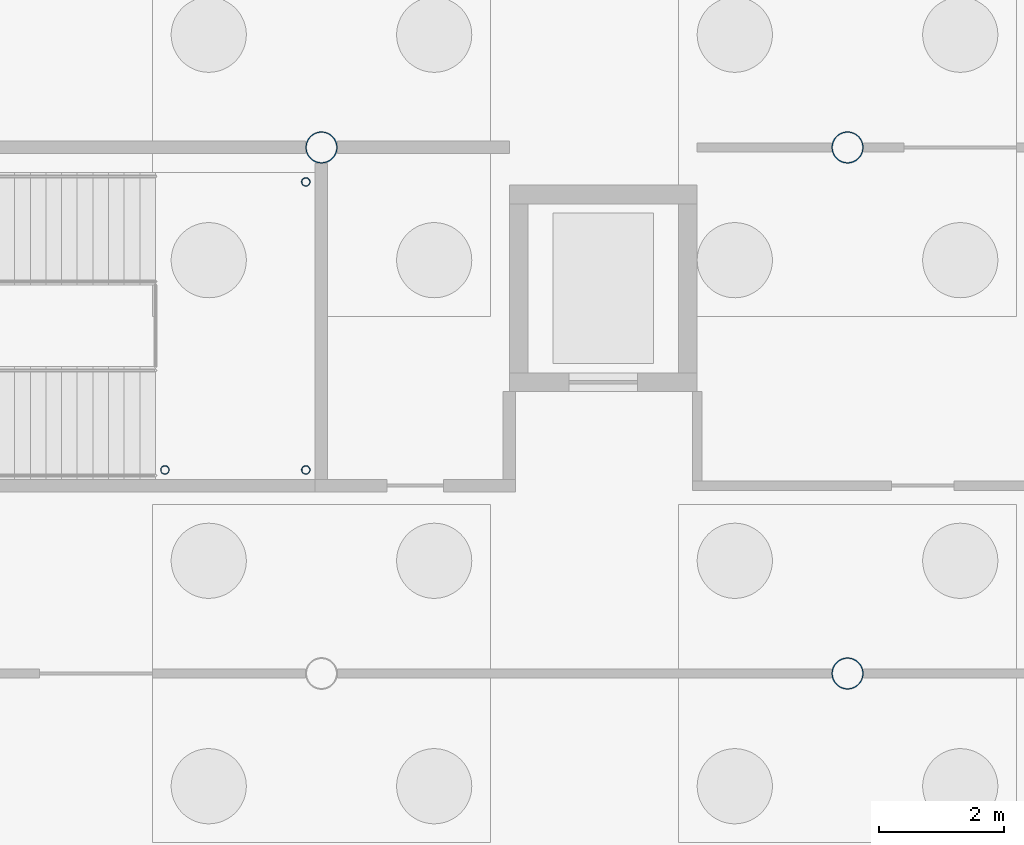
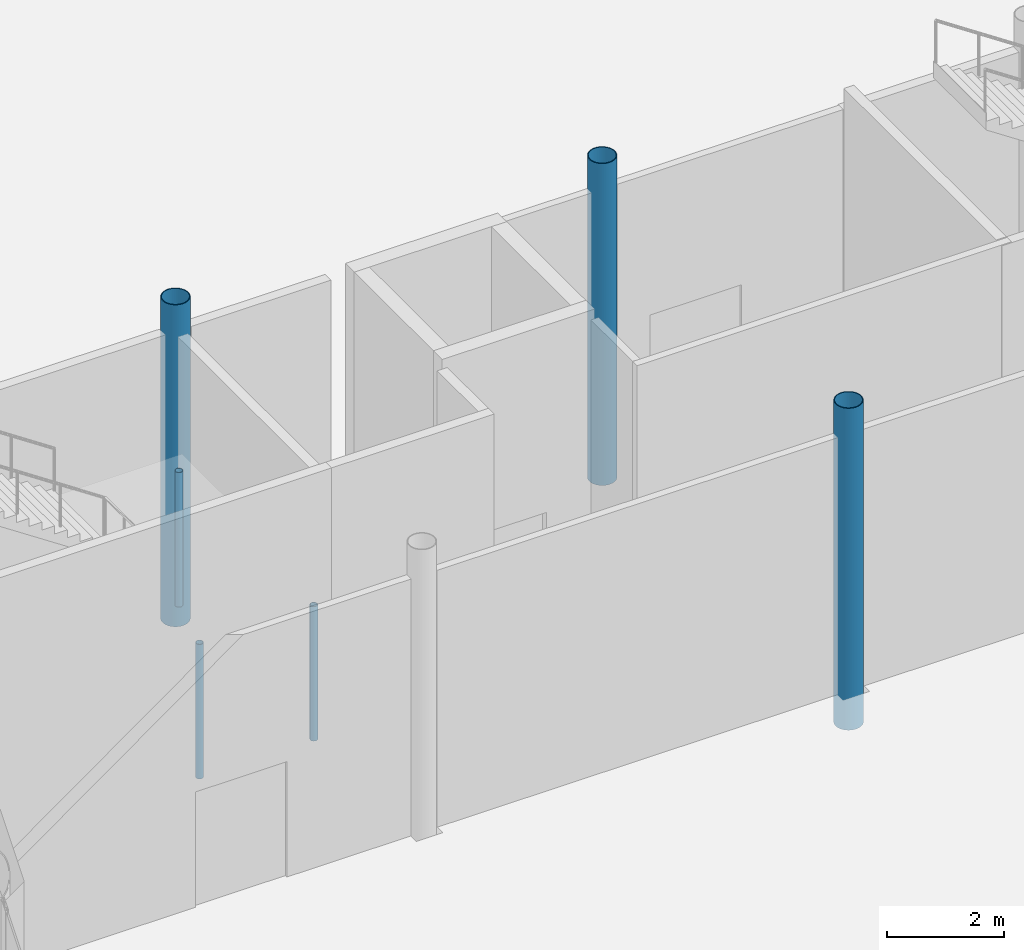
# One storey, part 14 of 212: 6 columns.
"""IFC4 building model written with IfcOpenShell, lengths in metres."""

from ifc_helpers import new_model, si_unit, direction, frame, origin, origin_2d, place, context, subcontext, project, spatial, hollow_circle, extrude, material, material_profile, profile_set, type_object, element, save


model = new_model("IFC4")

# Units and contexts
model_context = context("Model", 3, precision=1e-05, world=origin(), true_north=direction((0.0, 1.0)))
body_context = subcontext(model_context, "Body", "Model", "MODEL_VIEW")
ifc_project = project(units=[si_unit("LENGTHUNIT", "METRE"), si_unit("AREAUNIT", "SQUARE_METRE"), si_unit("VOLUMEUNIT", "CUBIC_METRE"), si_unit("PLANEANGLEUNIT", "RADIAN"), si_unit("MASSUNIT", "GRAM", prefix="KILO")], contexts=[model_context])

# Site, building, storey
site_placement = place(None, origin())
site = spatial("IfcSite", under=ifc_project, at=site_placement, CompositionType="ELEMENT")
building_placement = place(site_placement, origin())
building = spatial("IfcBuilding", under=site, at=building_placement, Name="Catenary Quay Ferry Terminal", CompositionType="ELEMENT")
storey_placement = place(building_placement, origin())
storey = spatial("IfcBuildingStorey", under=building, at=storey_placement, Name="L00", CompositionType="ELEMENT", Elevation=0.0)

# Columns
ifc_material_1 = material(Name="Steel S355", Category="steel")
ifc_material_profile_1 = material_profile(ifc_material_1, hollow_circle(Radius=0.25390625, WallThickness=0.01611328125, at=origin_2d()), Name="CHS 508x16")
ifc_profile_set_1 = profile_set([ifc_material_profile_1], Name="Steel S355")
column_type_1 = type_object("IfcColumnType", Name="C4 CHS 508x16", PredefinedType="COLUMN", material=ifc_profile_set_1)
for number, where, z_axis, x_axis, name in (
    (1, (42.0, 100.800048828125, -0.699951171875), (0.0, 0.0, 1.0), (1.0, 0.0, 0.0), "Column C-F13 L00"),
    (2, (33.60009765625, 109.199951171875, -0.699951171875), (0.0, 0.0, 1.0), (1.0, 0.0, 0.0), "Column C-E14 L00"),
    (3, (42.0, 109.199951171875, -0.699951171875), (0.0, 0.0, 1.0), (1.0, 0.0, 0.0), "Column C-F14 L00"),
):
    element("IfcColumn", number, at=place(storey_placement, frame(where, z_axis=z_axis, x_axis=x_axis)), inside=storey, type_object=column_type_1, Name=name, PredefinedType="COLUMN", context=body_context, shape_type="SweptSolid", body=[
        extrude(hollow_circle(Radius=0.25390625, WallThickness=0.01611328125, at=origin_2d()), origin(), (0.0, 0.0, 1.0), 6.699951171875),
    ])
ifc_material_2 = material(Name="Steel S355", Category="steel")
ifc_material_profile_2 = material_profile(ifc_material_2, hollow_circle(Radius=0.06982421875, WallThickness=0.008056640625, at=origin_2d()), Name="CHS 139.7x8")
ifc_profile_set_2 = profile_set([ifc_material_profile_2], Name="Steel S355")
column_type_2 = type_object("IfcColumnType", Name="SP1 CHS 139.7x8", PredefinedType="COLUMN", material=ifc_profile_set_2)
for number, where, z_axis, x_axis, name in (
    (4, (33.35009765625, 104.050048828125, 0.0), (0.0, 0.0, 1.0), (1.0, 0.0, 0.0), "Landing post TS1-L00 1"),
    (5, (33.35009765625, 108.64990234375, 0.0), (0.0, 0.0, 1.0), (1.0, 0.0, 0.0), "Landing post TS1-L00 2"),
    (6, (31.10009765625, 104.050048828125, 0.0), (0.0, 0.0, 1.0), (1.0, 0.0, 0.0), "Landing post TS1-L00 3"),
):
    element("IfcColumn", number, at=place(storey_placement, frame(where, z_axis=z_axis, x_axis=x_axis)), inside=storey, type_object=column_type_2, Name=name, PredefinedType="COLUMN", context=body_context, shape_type="SweptSolid", body=[
        extrude(hollow_circle(Radius=0.06982421875, WallThickness=0.008056640625, at=origin_2d()), origin(), (0.0, 0.0, 1.0), 2.800048828125),
    ])

save(model, "model.ifc")
